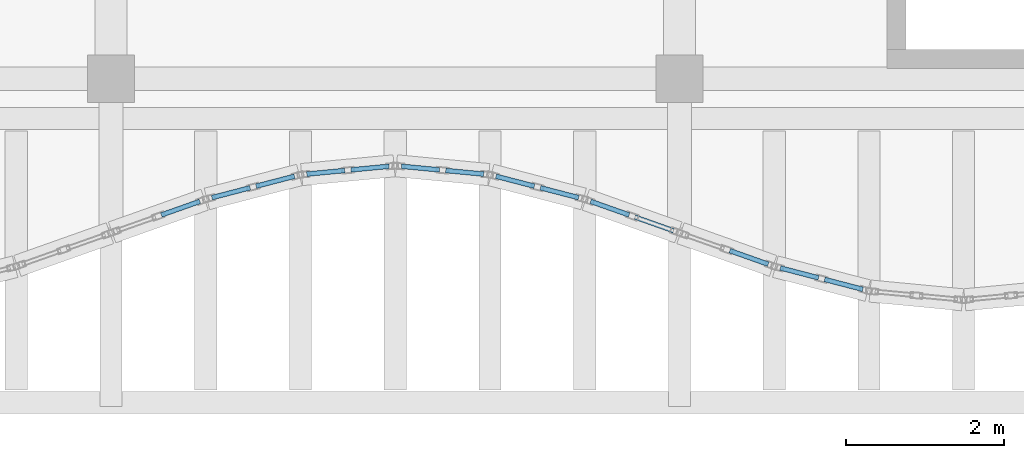
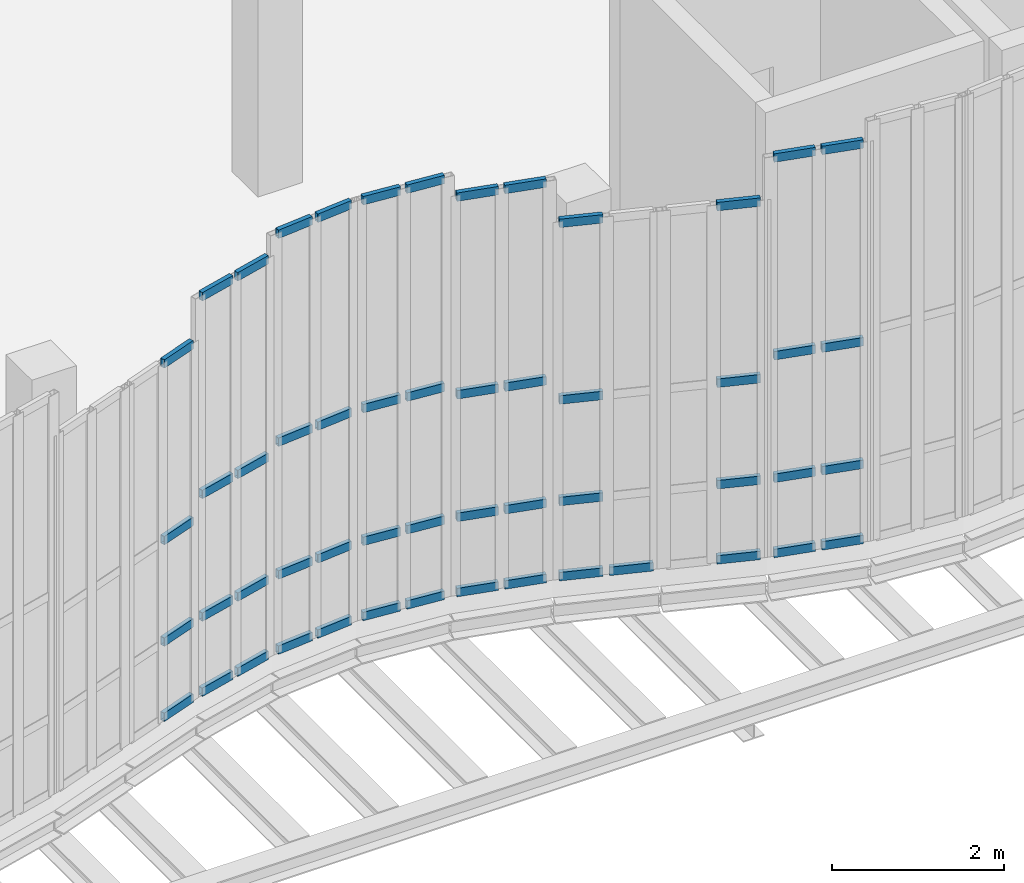
# One storey, part 43 of 76: 53 members, 8 elements without a shape of their own.
"""IFC4 building model written with IfcOpenShell, lengths in metres."""

from ifc_helpers import new_model, si_unit, direction, frame, origin, origin_2d, place, context, subcontext, project, spatial, hollow_rectangle, extrude, material, layer, layer_set, material_profile, profile_set, type_object, element, aggregate, save


model = new_model("IFC4")

# Units and contexts
model_context = context("Model", 3, precision=1e-05, world=origin(), true_north=direction((0.0, 1.0)))
body_context = subcontext(model_context, "Body", "Model", "MODEL_VIEW")
ifc_project = project(units=[si_unit("LENGTHUNIT", "METRE"), si_unit("AREAUNIT", "SQUARE_METRE"), si_unit("VOLUMEUNIT", "CUBIC_METRE"), si_unit("PLANEANGLEUNIT", "RADIAN"), si_unit("MASSUNIT", "GRAM", prefix="KILO"), si_unit("THERMODYNAMICTEMPERATUREUNIT", "KELVIN"), si_unit("POWERUNIT", "WATT")], contexts=[model_context])

# Site, building, storey
site_placement = place(None, origin())
site = spatial("IfcSite", under=ifc_project, at=site_placement, CompositionType="ELEMENT")
building_placement = place(site_placement, origin())
building = spatial("IfcBuilding", under=site, at=building_placement, Name="Kaldorven Railside Theatre", CompositionType="ELEMENT")
storey_placement = place(building_placement, frame((0.0, 0.0, 14.39990234375)))
storey = spatial("IfcBuildingStorey", under=building, at=storey_placement, Name="L03", CompositionType="ELEMENT", Elevation=14.39990234375)

# Curtain wall, members
ifc_material_1 = material(Name="Low-E laminated solar-control glass", Category="glass")
ifc_layer_1 = layer(ifc_material_1, 0.159912109375, Name="Low-E laminated solar-control glass")
ifc_layer_set_1 = layer_set([ifc_layer_1], Name="Low-E laminated solar-control glass")
curtain_wall_type_1 = type_object("IfcCurtainWallType", Name="CWT-08", PredefinedType="USERDEFINED", material=ifc_layer_set_1)
curtain_wall_1_placement = place(storey_placement, origin())
curtain_wall_1 = element("IfcCurtainWall", 1, at=curtain_wall_1_placement, inside=storey, type_object=curtain_wall_type_1, Name="Sinusoidal Fluted Curtain Wall CW-L03-S49", ObjectType="FLUTED GLAZING", PredefinedType="USERDEFINED")
ifc_material_2 = material(Name="Anodised bronze aluminium", Category="aluminium")
ifc_material_profile = material_profile(ifc_material_2, hollow_rectangle(XDim=0.06005859375, YDim=0.1201171875, WallThickness=0.0048828125, at=origin_2d()), Name="RHS 120x60x5")
ifc_profile_set = profile_set([ifc_material_profile], Name="Anodised bronze aluminium")
member_type = type_object("IfcMemberType", Name="CWT-120", PredefinedType="USERDEFINED", material=ifc_profile_set)
member_1_placement = place(storey_placement, frame((95.03759765625, 17.475830078125, 0.030029296875), z_axis=(0.942710841688, 0.333610954502, 0.0), x_axis=(-0.333610954502, 0.942710841688, 0.0)))
member_1 = element("IfcMember", 2, at=member_1_placement, type_object=member_type, Name="CW-L03-S49 transom 2.1", ObjectType="TRANSOM", PredefinedType="USERDEFINED", context=body_context, shape_type="SweptSolid", body=[
    extrude(hollow_rectangle(XDim=0.06005859375, YDim=0.1201171875, WallThickness=0.0048828125, at=origin_2d()), origin(), (0.0, 0.0, 1.0), 0.5166015625),
])
member_2_placement = place(storey_placement, frame((95.03759765625, 17.475830078125, 1.10009765625), z_axis=(0.942710841688, 0.333610954502, 0.0), x_axis=(-0.333610954502, 0.942710841688, 0.0)))
member_2 = element("IfcMember", 3, at=member_2_placement, type_object=member_type, Name="CW-L03-S49 transom 2.2", ObjectType="TRANSOM", PredefinedType="USERDEFINED", context=body_context, shape_type="SweptSolid", body=[
    extrude(hollow_rectangle(XDim=0.06005859375, YDim=0.1201171875, WallThickness=0.0048828125, at=origin_2d()), origin(), (0.0, 0.0, 1.0), 0.5166015625),
])
member_3_placement = place(storey_placement, frame((95.03759765625, 17.475830078125, 2.545166015625), z_axis=(0.942710841688, 0.333610954502, 0.0), x_axis=(-0.333610954502, 0.942710841688, 0.0)))
member_3 = element("IfcMember", 4, at=member_3_placement, type_object=member_type, Name="CW-L03-S49 transom 2.3", ObjectType="TRANSOM", PredefinedType="USERDEFINED", context=body_context, shape_type="SweptSolid", body=[
    extrude(hollow_rectangle(XDim=0.06005859375, YDim=0.1201171875, WallThickness=0.0048828125, at=origin_2d()), origin(), (0.0, 0.0, 1.0), 0.5166015625),
])
member_4_placement = place(storey_placement, frame((95.03759765625, 17.475830078125, 5.06005859375), z_axis=(0.942710841688, 0.333610954502, 0.0), x_axis=(-0.333610954502, 0.942710841688, 0.0)))
member_4 = element("IfcMember", 5, at=member_4_placement, type_object=member_type, Name="CW-L03-S49 transom 2.4", ObjectType="TRANSOM", PredefinedType="USERDEFINED", context=body_context, shape_type="SweptSolid", body=[
    extrude(hollow_rectangle(XDim=0.06005859375, YDim=0.1201171875, WallThickness=0.0048828125, at=origin_2d()), origin(), (0.0, 0.0, 1.0), 0.5166015625),
])
aggregate(curtain_wall_1, [member_1, member_2, member_3, member_4])

ifc_layer_2 = layer(ifc_material_1, 0.159912109375, Name="Low-E laminated solar-control glass")
ifc_layer_set_2 = layer_set([ifc_layer_2], Name="Low-E laminated solar-control glass")
curtain_wall_type_2 = type_object("IfcCurtainWallType", Name="CWT-09", PredefinedType="USERDEFINED", material=ifc_layer_set_2)
curtain_wall_2_placement = place(storey_placement, origin())
curtain_wall_2 = element("IfcCurtainWall", 6, at=curtain_wall_2_placement, inside=storey, type_object=curtain_wall_type_2, Name="Sinusoidal Fluted Curtain Wall CW-L03-S50", ObjectType="FLUTED GLAZING", PredefinedType="USERDEFINED")
member_5_placement = place(storey_placement, frame((95.677490234375, 17.695068359375, 0.030029296875), z_axis=(0.967979318949, 0.251029954561, 0.0), x_axis=(-0.251029954561, 0.967979318949, 0.0)))
member_5 = element("IfcMember", 7, at=member_5_placement, type_object=member_type, Name="CW-L03-S50 transom 1.1", ObjectType="TRANSOM", PredefinedType="USERDEFINED", context=body_context, shape_type="SweptSolid", body=[
    extrude(hollow_rectangle(XDim=0.06005859375, YDim=0.1201171875, WallThickness=0.0048828125, at=origin_2d()), origin(), (0.0, 0.0, 1.0), 0.5),
])
member_6_placement = place(storey_placement, frame((95.677490234375, 17.695068359375, 1.10009765625), z_axis=(0.967979318949, 0.251029954561, 0.0), x_axis=(-0.251029954561, 0.967979318949, 0.0)))
member_6 = element("IfcMember", 8, at=member_6_placement, type_object=member_type, Name="CW-L03-S50 transom 1.2", ObjectType="TRANSOM", PredefinedType="USERDEFINED", context=body_context, shape_type="SweptSolid", body=[
    extrude(hollow_rectangle(XDim=0.06005859375, YDim=0.1201171875, WallThickness=0.0048828125, at=origin_2d()), origin(), (0.0, 0.0, 1.0), 0.5),
])
member_7_placement = place(storey_placement, frame((95.677490234375, 17.695068359375, 2.84521484375), z_axis=(0.967979318949, 0.251029954561, 0.0), x_axis=(-0.251029954561, 0.967979318949, 0.0)))
member_7 = element("IfcMember", 9, at=member_7_placement, type_object=member_type, Name="CW-L03-S50 transom 1.3", ObjectType="TRANSOM", PredefinedType="USERDEFINED", context=body_context, shape_type="SweptSolid", body=[
    extrude(hollow_rectangle(XDim=0.06005859375, YDim=0.1201171875, WallThickness=0.0048828125, at=origin_2d()), origin(), (0.0, 0.0, 1.0), 0.5),
])
member_8_placement = place(storey_placement, frame((95.677490234375, 17.695068359375, 5.66015625), z_axis=(0.967979318949, 0.251029954561, 0.0), x_axis=(-0.251029954561, 0.967979318949, 0.0)))
member_8 = element("IfcMember", 10, at=member_8_placement, type_object=member_type, Name="CW-L03-S50 transom 1.4", ObjectType="TRANSOM", PredefinedType="USERDEFINED", context=body_context, shape_type="SweptSolid", body=[
    extrude(hollow_rectangle(XDim=0.06005859375, YDim=0.1201171875, WallThickness=0.0048828125, at=origin_2d()), origin(), (0.0, 0.0, 1.0), 0.5),
])
member_9_placement = place(storey_placement, frame((96.23876953125, 17.840576171875, 0.030029296875), z_axis=(0.967979318949, 0.251029954561, 0.0), x_axis=(-0.251029954561, 0.967979318949, 0.0)))
member_9 = element("IfcMember", 11, at=member_9_placement, type_object=member_type, Name="CW-L03-S50 transom 2.1", ObjectType="TRANSOM", PredefinedType="USERDEFINED", context=body_context, shape_type="SweptSolid", body=[
    extrude(hollow_rectangle(XDim=0.06005859375, YDim=0.1201171875, WallThickness=0.0048828125, at=origin_2d()), origin(), (0.0, 0.0, 1.0), 0.5),
])
member_10_placement = place(storey_placement, frame((96.23876953125, 17.840576171875, 1.10009765625), z_axis=(0.967979318949, 0.251029954561, 0.0), x_axis=(-0.251029954561, 0.967979318949, 0.0)))
member_10 = element("IfcMember", 12, at=member_10_placement, type_object=member_type, Name="CW-L03-S50 transom 2.2", ObjectType="TRANSOM", PredefinedType="USERDEFINED", context=body_context, shape_type="SweptSolid", body=[
    extrude(hollow_rectangle(XDim=0.06005859375, YDim=0.1201171875, WallThickness=0.0048828125, at=origin_2d()), origin(), (0.0, 0.0, 1.0), 0.5),
])
member_11_placement = place(storey_placement, frame((96.23876953125, 17.840576171875, 2.84521484375), z_axis=(0.967979318949, 0.251029954561, 0.0), x_axis=(-0.251029954561, 0.967979318949, 0.0)))
member_11 = element("IfcMember", 13, at=member_11_placement, type_object=member_type, Name="CW-L03-S50 transom 2.3", ObjectType="TRANSOM", PredefinedType="USERDEFINED", context=body_context, shape_type="SweptSolid", body=[
    extrude(hollow_rectangle(XDim=0.06005859375, YDim=0.1201171875, WallThickness=0.0048828125, at=origin_2d()), origin(), (0.0, 0.0, 1.0), 0.5),
])
member_12_placement = place(storey_placement, frame((96.23876953125, 17.840576171875, 5.66015625), z_axis=(0.967979318949, 0.251029954561, 0.0), x_axis=(-0.251029954561, 0.967979318949, 0.0)))
member_12 = element("IfcMember", 14, at=member_12_placement, type_object=member_type, Name="CW-L03-S50 transom 2.4", ObjectType="TRANSOM", PredefinedType="USERDEFINED", context=body_context, shape_type="SweptSolid", body=[
    extrude(hollow_rectangle(XDim=0.06005859375, YDim=0.1201171875, WallThickness=0.0048828125, at=origin_2d()), origin(), (0.0, 0.0, 1.0), 0.5),
])
aggregate(curtain_wall_2, [member_5, member_6, member_7, member_8, member_9, member_10, member_11, member_12])

ifc_layer_3 = layer(ifc_material_1, 0.159912109375, Name="Low-E laminated solar-control glass")
ifc_layer_set_3 = layer_set([ifc_layer_3], Name="Low-E laminated solar-control glass")
curtain_wall_type_3 = type_object("IfcCurtainWallType", Name="CWT-10", PredefinedType="USERDEFINED", material=ifc_layer_set_3)
curtain_wall_3_placement = place(storey_placement, origin())
curtain_wall_3 = element("IfcCurtainWall", 15, at=curtain_wall_3_placement, inside=storey, type_object=curtain_wall_type_3, Name="Sinusoidal Fluted Curtain Wall CW-L03-S51", ObjectType="FLUTED GLAZING", PredefinedType="USERDEFINED")
member_13_placement = place(storey_placement, frame((96.879638671875, 17.99365234375, 0.030029296875), z_axis=(0.995515910823, 0.094594245591, 0.0), x_axis=(-0.094594245591, 0.995515910823, 0.0)))
member_13 = element("IfcMember", 16, at=member_13_placement, type_object=member_type, Name="CW-L03-S51 transom 1.1", ObjectType="TRANSOM", PredefinedType="USERDEFINED", context=body_context, shape_type="SweptSolid", body=[
    extrude(hollow_rectangle(XDim=0.06005859375, YDim=0.1201171875, WallThickness=0.0048828125, at=origin_2d()), origin(), (0.0, 0.0, 1.0), 0.482666015625),
])
member_14_placement = place(storey_placement, frame((96.879638671875, 17.99365234375, 1.10009765625), z_axis=(0.995515910823, 0.094594245591, 0.0), x_axis=(-0.094594245591, 0.995515910823, 0.0)))
member_14 = element("IfcMember", 17, at=member_14_placement, type_object=member_type, Name="CW-L03-S51 transom 1.2", ObjectType="TRANSOM", PredefinedType="USERDEFINED", context=body_context, shape_type="SweptSolid", body=[
    extrude(hollow_rectangle(XDim=0.06005859375, YDim=0.1201171875, WallThickness=0.0048828125, at=origin_2d()), origin(), (0.0, 0.0, 1.0), 0.482666015625),
])
member_15_placement = place(storey_placement, frame((96.879638671875, 17.99365234375, 2.989990234375), z_axis=(0.995515910823, 0.094594245591, 0.0), x_axis=(-0.094594245591, 0.995515910823, 0.0)))
member_15 = element("IfcMember", 18, at=member_15_placement, type_object=member_type, Name="CW-L03-S51 transom 1.3", ObjectType="TRANSOM", PredefinedType="USERDEFINED", context=body_context, shape_type="SweptSolid", body=[
    extrude(hollow_rectangle(XDim=0.06005859375, YDim=0.1201171875, WallThickness=0.0048828125, at=origin_2d()), origin(), (0.0, 0.0, 1.0), 0.482666015625),
])
member_16_placement = place(storey_placement, frame((96.879638671875, 17.99365234375, 5.9501953125), z_axis=(0.995515910823, 0.094594245591, 0.0), x_axis=(-0.094594245591, 0.995515910823, 0.0)))
member_16 = element("IfcMember", 19, at=member_16_placement, type_object=member_type, Name="CW-L03-S51 transom 1.4", ObjectType="TRANSOM", PredefinedType="USERDEFINED", context=body_context, shape_type="SweptSolid", body=[
    extrude(hollow_rectangle(XDim=0.06005859375, YDim=0.1201171875, WallThickness=0.0048828125, at=origin_2d()), origin(), (0.0, 0.0, 1.0), 0.482666015625),
])
member_17_placement = place(storey_placement, frame((97.43994140625, 18.046875, 0.030029296875), z_axis=(0.995515910823, 0.094594245591, 0.0), x_axis=(-0.094594245591, 0.995515910823, 0.0)))
member_17 = element("IfcMember", 20, at=member_17_placement, type_object=member_type, Name="CW-L03-S51 transom 2.1", ObjectType="TRANSOM", PredefinedType="USERDEFINED", context=body_context, shape_type="SweptSolid", body=[
    extrude(hollow_rectangle(XDim=0.06005859375, YDim=0.1201171875, WallThickness=0.0048828125, at=origin_2d()), origin(), (0.0, 0.0, 1.0), 0.482666015625),
])
member_18_placement = place(storey_placement, frame((97.43994140625, 18.046875, 1.10009765625), z_axis=(0.995515910823, 0.094594245591, 0.0), x_axis=(-0.094594245591, 0.995515910823, 0.0)))
member_18 = element("IfcMember", 21, at=member_18_placement, type_object=member_type, Name="CW-L03-S51 transom 2.2", ObjectType="TRANSOM", PredefinedType="USERDEFINED", context=body_context, shape_type="SweptSolid", body=[
    extrude(hollow_rectangle(XDim=0.06005859375, YDim=0.1201171875, WallThickness=0.0048828125, at=origin_2d()), origin(), (0.0, 0.0, 1.0), 0.482666015625),
])
member_19_placement = place(storey_placement, frame((97.43994140625, 18.046875, 2.989990234375), z_axis=(0.995515910823, 0.094594245591, 0.0), x_axis=(-0.094594245591, 0.995515910823, 0.0)))
member_19 = element("IfcMember", 22, at=member_19_placement, type_object=member_type, Name="CW-L03-S51 transom 2.3", ObjectType="TRANSOM", PredefinedType="USERDEFINED", context=body_context, shape_type="SweptSolid", body=[
    extrude(hollow_rectangle(XDim=0.06005859375, YDim=0.1201171875, WallThickness=0.0048828125, at=origin_2d()), origin(), (0.0, 0.0, 1.0), 0.482666015625),
])
member_20_placement = place(storey_placement, frame((97.43994140625, 18.046875, 5.9501953125), z_axis=(0.995515910823, 0.094594245591, 0.0), x_axis=(-0.094594245591, 0.995515910823, 0.0)))
member_20 = element("IfcMember", 23, at=member_20_placement, type_object=member_type, Name="CW-L03-S51 transom 2.4", ObjectType="TRANSOM", PredefinedType="USERDEFINED", context=body_context, shape_type="SweptSolid", body=[
    extrude(hollow_rectangle(XDim=0.06005859375, YDim=0.1201171875, WallThickness=0.0048828125, at=origin_2d()), origin(), (0.0, 0.0, 1.0), 0.482666015625),
])
aggregate(curtain_wall_3, [member_13, member_14, member_15, member_16, member_17, member_18, member_19, member_20])

curtain_wall_4_placement = place(storey_placement, origin())
curtain_wall_4 = element("IfcCurtainWall", 24, at=curtain_wall_4_placement, inside=storey, type_object=curtain_wall_type_3, Name="Sinusoidal Fluted Curtain Wall CW-L03-S52", ObjectType="FLUTED GLAZING", PredefinedType="USERDEFINED")
member_21_placement = place(storey_placement, frame((98.07958984375, 18.092529296875, 0.030029296875), z_axis=(0.995515910823, -0.094594245591, 0.0), x_axis=(0.094594245591, 0.995515910823, 0.0)))
member_21 = element("IfcMember", 25, at=member_21_placement, type_object=member_type, Name="CW-L03-S52 transom 1.1", ObjectType="TRANSOM", PredefinedType="USERDEFINED", context=body_context, shape_type="SweptSolid", body=[
    extrude(hollow_rectangle(XDim=0.06005859375, YDim=0.1201171875, WallThickness=0.0048828125, at=origin_2d()), origin(), (0.0, 0.0, 1.0), 0.482666015625),
])
member_22_placement = place(storey_placement, frame((98.07958984375, 18.092529296875, 1.10009765625), z_axis=(0.995515910823, -0.094594245591, 0.0), x_axis=(0.094594245591, 0.995515910823, 0.0)))
member_22 = element("IfcMember", 26, at=member_22_placement, type_object=member_type, Name="CW-L03-S52 transom 1.2", ObjectType="TRANSOM", PredefinedType="USERDEFINED", context=body_context, shape_type="SweptSolid", body=[
    extrude(hollow_rectangle(XDim=0.06005859375, YDim=0.1201171875, WallThickness=0.0048828125, at=origin_2d()), origin(), (0.0, 0.0, 1.0), 0.482666015625),
])
member_23_placement = place(storey_placement, frame((98.07958984375, 18.092529296875, 2.989990234375), z_axis=(0.995515910823, -0.094594245591, 0.0), x_axis=(0.094594245591, 0.995515910823, 0.0)))
member_23 = element("IfcMember", 27, at=member_23_placement, type_object=member_type, Name="CW-L03-S52 transom 1.3", ObjectType="TRANSOM", PredefinedType="USERDEFINED", context=body_context, shape_type="SweptSolid", body=[
    extrude(hollow_rectangle(XDim=0.06005859375, YDim=0.1201171875, WallThickness=0.0048828125, at=origin_2d()), origin(), (0.0, 0.0, 1.0), 0.482666015625),
])
member_24_placement = place(storey_placement, frame((98.07958984375, 18.092529296875, 5.9501953125), z_axis=(0.995515910823, -0.094594245591, 0.0), x_axis=(0.094594245591, 0.995515910823, 0.0)))
member_24 = element("IfcMember", 28, at=member_24_placement, type_object=member_type, Name="CW-L03-S52 transom 1.4", ObjectType="TRANSOM", PredefinedType="USERDEFINED", context=body_context, shape_type="SweptSolid", body=[
    extrude(hollow_rectangle(XDim=0.06005859375, YDim=0.1201171875, WallThickness=0.0048828125, at=origin_2d()), origin(), (0.0, 0.0, 1.0), 0.482666015625),
])
member_25_placement = place(storey_placement, frame((98.639892578125, 18.039306640625, 0.030029296875), z_axis=(0.995515910823, -0.094594245591, 0.0), x_axis=(0.094594245591, 0.995515910823, 0.0)))
member_25 = element("IfcMember", 29, at=member_25_placement, type_object=member_type, Name="CW-L03-S52 transom 2.1", ObjectType="TRANSOM", PredefinedType="USERDEFINED", context=body_context, shape_type="SweptSolid", body=[
    extrude(hollow_rectangle(XDim=0.06005859375, YDim=0.1201171875, WallThickness=0.0048828125, at=origin_2d()), origin(), (0.0, 0.0, 1.0), 0.482666015625),
])
member_26_placement = place(storey_placement, frame((98.639892578125, 18.039306640625, 1.10009765625), z_axis=(0.995515910823, -0.094594245591, 0.0), x_axis=(0.094594245591, 0.995515910823, 0.0)))
member_26 = element("IfcMember", 30, at=member_26_placement, type_object=member_type, Name="CW-L03-S52 transom 2.2", ObjectType="TRANSOM", PredefinedType="USERDEFINED", context=body_context, shape_type="SweptSolid", body=[
    extrude(hollow_rectangle(XDim=0.06005859375, YDim=0.1201171875, WallThickness=0.0048828125, at=origin_2d()), origin(), (0.0, 0.0, 1.0), 0.482666015625),
])
member_27_placement = place(storey_placement, frame((98.639892578125, 18.039306640625, 2.989990234375), z_axis=(0.995515910823, -0.094594245591, 0.0), x_axis=(0.094594245591, 0.995515910823, 0.0)))
member_27 = element("IfcMember", 31, at=member_27_placement, type_object=member_type, Name="CW-L03-S52 transom 2.3", ObjectType="TRANSOM", PredefinedType="USERDEFINED", context=body_context, shape_type="SweptSolid", body=[
    extrude(hollow_rectangle(XDim=0.06005859375, YDim=0.1201171875, WallThickness=0.0048828125, at=origin_2d()), origin(), (0.0, 0.0, 1.0), 0.482666015625),
])
member_28_placement = place(storey_placement, frame((98.639892578125, 18.039306640625, 5.9501953125), z_axis=(0.995515910823, -0.094594245591, 0.0), x_axis=(0.094594245591, 0.995515910823, 0.0)))
member_28 = element("IfcMember", 32, at=member_28_placement, type_object=member_type, Name="CW-L03-S52 transom 2.4", ObjectType="TRANSOM", PredefinedType="USERDEFINED", context=body_context, shape_type="SweptSolid", body=[
    extrude(hollow_rectangle(XDim=0.06005859375, YDim=0.1201171875, WallThickness=0.0048828125, at=origin_2d()), origin(), (0.0, 0.0, 1.0), 0.482666015625),
])
aggregate(curtain_wall_4, [member_21, member_22, member_23, member_24, member_25, member_26, member_27, member_28])

curtain_wall_5_placement = place(storey_placement, origin())
curtain_wall_5 = element("IfcCurtainWall", 33, at=curtain_wall_5_placement, inside=storey, type_object=curtain_wall_type_2, Name="Sinusoidal Fluted Curtain Wall CW-L03-S53", ObjectType="FLUTED GLAZING", PredefinedType="USERDEFINED")
member_29_placement = place(storey_placement, frame((99.27734375, 17.966064453125, 0.030029296875), z_axis=(0.967979318949, -0.251029954561, 0.0), x_axis=(0.251029954561, 0.967979318949, 0.0)))
member_29 = element("IfcMember", 34, at=member_29_placement, type_object=member_type, Name="CW-L03-S53 transom 1.1", ObjectType="TRANSOM", PredefinedType="USERDEFINED", context=body_context, shape_type="SweptSolid", body=[
    extrude(hollow_rectangle(XDim=0.06005859375, YDim=0.1201171875, WallThickness=0.0048828125, at=origin_2d()), origin(), (0.0, 0.0, 1.0), 0.5),
])
member_30_placement = place(storey_placement, frame((99.27734375, 17.966064453125, 1.10009765625), z_axis=(0.967979318949, -0.251029954561, 0.0), x_axis=(0.251029954561, 0.967979318949, 0.0)))
member_30 = element("IfcMember", 35, at=member_30_placement, type_object=member_type, Name="CW-L03-S53 transom 1.2", ObjectType="TRANSOM", PredefinedType="USERDEFINED", context=body_context, shape_type="SweptSolid", body=[
    extrude(hollow_rectangle(XDim=0.06005859375, YDim=0.1201171875, WallThickness=0.0048828125, at=origin_2d()), origin(), (0.0, 0.0, 1.0), 0.5),
])
member_31_placement = place(storey_placement, frame((99.27734375, 17.966064453125, 2.84521484375), z_axis=(0.967979318949, -0.251029954561, 0.0), x_axis=(0.251029954561, 0.967979318949, 0.0)))
member_31 = element("IfcMember", 36, at=member_31_placement, type_object=member_type, Name="CW-L03-S53 transom 1.3", ObjectType="TRANSOM", PredefinedType="USERDEFINED", context=body_context, shape_type="SweptSolid", body=[
    extrude(hollow_rectangle(XDim=0.06005859375, YDim=0.1201171875, WallThickness=0.0048828125, at=origin_2d()), origin(), (0.0, 0.0, 1.0), 0.5),
])
member_32_placement = place(storey_placement, frame((99.27734375, 17.966064453125, 5.66015625), z_axis=(0.967979318949, -0.251029954561, 0.0), x_axis=(0.251029954561, 0.967979318949, 0.0)))
member_32 = element("IfcMember", 37, at=member_32_placement, type_object=member_type, Name="CW-L03-S53 transom 1.4", ObjectType="TRANSOM", PredefinedType="USERDEFINED", context=body_context, shape_type="SweptSolid", body=[
    extrude(hollow_rectangle(XDim=0.06005859375, YDim=0.1201171875, WallThickness=0.0048828125, at=origin_2d()), origin(), (0.0, 0.0, 1.0), 0.5),
])
member_33_placement = place(storey_placement, frame((99.838623046875, 17.820556640625, 0.030029296875), z_axis=(0.967979318949, -0.251029954561, 0.0), x_axis=(0.251029954561, 0.967979318949, 0.0)))
member_33 = element("IfcMember", 38, at=member_33_placement, type_object=member_type, Name="CW-L03-S53 transom 2.1", ObjectType="TRANSOM", PredefinedType="USERDEFINED", context=body_context, shape_type="SweptSolid", body=[
    extrude(hollow_rectangle(XDim=0.06005859375, YDim=0.1201171875, WallThickness=0.0048828125, at=origin_2d()), origin(), (0.0, 0.0, 1.0), 0.5),
])
member_34_placement = place(storey_placement, frame((99.838623046875, 17.820556640625, 1.10009765625), z_axis=(0.967979318949, -0.251029954561, 0.0), x_axis=(0.251029954561, 0.967979318949, 0.0)))
member_34 = element("IfcMember", 39, at=member_34_placement, type_object=member_type, Name="CW-L03-S53 transom 2.2", ObjectType="TRANSOM", PredefinedType="USERDEFINED", context=body_context, shape_type="SweptSolid", body=[
    extrude(hollow_rectangle(XDim=0.06005859375, YDim=0.1201171875, WallThickness=0.0048828125, at=origin_2d()), origin(), (0.0, 0.0, 1.0), 0.5),
])
member_35_placement = place(storey_placement, frame((99.838623046875, 17.820556640625, 2.84521484375), z_axis=(0.967979318949, -0.251029954561, 0.0), x_axis=(0.251029954561, 0.967979318949, 0.0)))
member_35 = element("IfcMember", 40, at=member_35_placement, type_object=member_type, Name="CW-L03-S53 transom 2.3", ObjectType="TRANSOM", PredefinedType="USERDEFINED", context=body_context, shape_type="SweptSolid", body=[
    extrude(hollow_rectangle(XDim=0.06005859375, YDim=0.1201171875, WallThickness=0.0048828125, at=origin_2d()), origin(), (0.0, 0.0, 1.0), 0.5),
])
member_36_placement = place(storey_placement, frame((99.838623046875, 17.820556640625, 5.66015625), z_axis=(0.967979318949, -0.251029954561, 0.0), x_axis=(0.251029954561, 0.967979318949, 0.0)))
member_36 = element("IfcMember", 41, at=member_36_placement, type_object=member_type, Name="CW-L03-S53 transom 2.4", ObjectType="TRANSOM", PredefinedType="USERDEFINED", context=body_context, shape_type="SweptSolid", body=[
    extrude(hollow_rectangle(XDim=0.06005859375, YDim=0.1201171875, WallThickness=0.0048828125, at=origin_2d()), origin(), (0.0, 0.0, 1.0), 0.5),
])
aggregate(curtain_wall_5, [member_29, member_30, member_31, member_32, member_33, member_34, member_35, member_36])

curtain_wall_6_placement = place(storey_placement, origin())
curtain_wall_6 = element("IfcCurtainWall", 42, at=curtain_wall_6_placement, inside=storey, type_object=curtain_wall_type_1, Name="Sinusoidal Fluted Curtain Wall CW-L03-S54", ObjectType="FLUTED GLAZING", PredefinedType="USERDEFINED")
member_37_placement = place(storey_placement, frame((100.475341796875, 17.648193359375, 0.030029296875), z_axis=(0.942710841688, -0.333610954502, 0.0), x_axis=(0.333610954502, 0.942710841688, 0.0)))
member_37 = element("IfcMember", 43, at=member_37_placement, type_object=member_type, Name="CW-L03-S54 transom 1.1", ObjectType="TRANSOM", PredefinedType="USERDEFINED", context=body_context, shape_type="SweptSolid", body=[
    extrude(hollow_rectangle(XDim=0.06005859375, YDim=0.1201171875, WallThickness=0.0048828125, at=origin_2d()), origin(), (0.0, 0.0, 1.0), 0.5166015625),
])
member_38_placement = place(storey_placement, frame((100.475341796875, 17.648193359375, 1.10009765625), z_axis=(0.942710841688, -0.333610954502, 0.0), x_axis=(0.333610954502, 0.942710841688, 0.0)))
member_38 = element("IfcMember", 44, at=member_38_placement, type_object=member_type, Name="CW-L03-S54 transom 1.2", ObjectType="TRANSOM", PredefinedType="USERDEFINED", context=body_context, shape_type="SweptSolid", body=[
    extrude(hollow_rectangle(XDim=0.06005859375, YDim=0.1201171875, WallThickness=0.0048828125, at=origin_2d()), origin(), (0.0, 0.0, 1.0), 0.5166015625),
])
member_39_placement = place(storey_placement, frame((100.475341796875, 17.648193359375, 2.545166015625), z_axis=(0.942710841688, -0.333610954502, 0.0), x_axis=(0.333610954502, 0.942710841688, 0.0)))
member_39 = element("IfcMember", 45, at=member_39_placement, type_object=member_type, Name="CW-L03-S54 transom 1.3", ObjectType="TRANSOM", PredefinedType="USERDEFINED", context=body_context, shape_type="SweptSolid", body=[
    extrude(hollow_rectangle(XDim=0.06005859375, YDim=0.1201171875, WallThickness=0.0048828125, at=origin_2d()), origin(), (0.0, 0.0, 1.0), 0.5166015625),
])
member_40_placement = place(storey_placement, frame((100.475341796875, 17.648193359375, 5.06005859375), z_axis=(0.942710841688, -0.333610954502, 0.0), x_axis=(0.333610954502, 0.942710841688, 0.0)))
member_40 = element("IfcMember", 46, at=member_40_placement, type_object=member_type, Name="CW-L03-S54 transom 1.4", ObjectType="TRANSOM", PredefinedType="USERDEFINED", context=body_context, shape_type="SweptSolid", body=[
    extrude(hollow_rectangle(XDim=0.06005859375, YDim=0.1201171875, WallThickness=0.0048828125, at=origin_2d()), origin(), (0.0, 0.0, 1.0), 0.5166015625),
])
member_41_placement = place(storey_placement, frame((101.03759765625, 17.44921875, 0.030029296875), z_axis=(0.94256215944, -0.334030800363, 0.0), x_axis=(0.334030800363, 0.94256215944, 0.0)))
member_41 = element("IfcMember", 47, at=member_41_placement, type_object=member_type, Name="CW-L03-S54 transom 2.1", ObjectType="TRANSOM", PredefinedType="USERDEFINED", context=body_context, shape_type="SweptSolid", body=[
    extrude(hollow_rectangle(XDim=0.06005859375, YDim=0.1201171875, WallThickness=0.0048828125, at=origin_2d()), origin(), (0.0, 0.0, 1.0), 0.516845703125),
])
aggregate(curtain_wall_6, [member_37, member_38, member_39, member_40, member_41])

curtain_wall_7_placement = place(storey_placement, origin())
curtain_wall_7 = element("IfcCurtainWall", 48, at=curtain_wall_7_placement, inside=storey, type_object=curtain_wall_type_1, Name="Sinusoidal Fluted Curtain Wall CW-L03-S55", ObjectType="FLUTED GLAZING", PredefinedType="USERDEFINED")
member_42_placement = place(storey_placement, frame((102.23779296875, 17.024169921875, 0.030029296875), z_axis=(0.942658214948, -0.333759628763, 0.0), x_axis=(0.333759628763, 0.942658214948, 0.0)))
member_42 = element("IfcMember", 49, at=member_42_placement, type_object=member_type, Name="CW-L03-S55 transom 2.1", ObjectType="TRANSOM", PredefinedType="USERDEFINED", context=body_context, shape_type="SweptSolid", body=[
    extrude(hollow_rectangle(XDim=0.06005859375, YDim=0.1201171875, WallThickness=0.0048828125, at=origin_2d()), origin(), (0.0, 0.0, 1.0), 0.516357421875),
])
member_43_placement = place(storey_placement, frame((102.23779296875, 17.024169921875, 1.10009765625), z_axis=(0.942658214948, -0.333759628763, 0.0), x_axis=(0.333759628763, 0.942658214948, 0.0)))
member_43 = element("IfcMember", 50, at=member_43_placement, type_object=member_type, Name="CW-L03-S55 transom 2.2", ObjectType="TRANSOM", PredefinedType="USERDEFINED", context=body_context, shape_type="SweptSolid", body=[
    extrude(hollow_rectangle(XDim=0.06005859375, YDim=0.1201171875, WallThickness=0.0048828125, at=origin_2d()), origin(), (0.0, 0.0, 1.0), 0.516357421875),
])
member_44_placement = place(storey_placement, frame((102.23779296875, 17.024169921875, 2.545166015625), z_axis=(0.942658214948, -0.333759628763, 0.0), x_axis=(0.333759628763, 0.942658214948, 0.0)))
member_44 = element("IfcMember", 51, at=member_44_placement, type_object=member_type, Name="CW-L03-S55 transom 2.3", ObjectType="TRANSOM", PredefinedType="USERDEFINED", context=body_context, shape_type="SweptSolid", body=[
    extrude(hollow_rectangle(XDim=0.06005859375, YDim=0.1201171875, WallThickness=0.0048828125, at=origin_2d()), origin(), (0.0, 0.0, 1.0), 0.516357421875),
])
member_45_placement = place(storey_placement, frame((102.23779296875, 17.024169921875, 5.06005859375), z_axis=(0.942658214948, -0.333759628763, 0.0), x_axis=(0.333759628763, 0.942658214948, 0.0)))
member_45 = element("IfcMember", 52, at=member_45_placement, type_object=member_type, Name="CW-L03-S55 transom 2.4", ObjectType="TRANSOM", PredefinedType="USERDEFINED", context=body_context, shape_type="SweptSolid", body=[
    extrude(hollow_rectangle(XDim=0.06005859375, YDim=0.1201171875, WallThickness=0.0048828125, at=origin_2d()), origin(), (0.0, 0.0, 1.0), 0.516357421875),
])
aggregate(curtain_wall_7, [member_42, member_43, member_44, member_45])

curtain_wall_8_placement = place(storey_placement, origin())
curtain_wall_8 = element("IfcCurtainWall", 53, at=curtain_wall_8_placement, inside=storey, type_object=curtain_wall_type_2, Name="Sinusoidal Fluted Curtain Wall CW-L03-S56", ObjectType="FLUTED GLAZING", PredefinedType="USERDEFINED")
member_46_placement = place(storey_placement, frame((102.87744140625, 16.804931640625, 0.030029296875), z_axis=(0.967979318949, -0.251029954561, 0.0), x_axis=(0.251029954561, 0.967979318949, 0.0)))
member_46 = element("IfcMember", 54, at=member_46_placement, type_object=member_type, Name="CW-L03-S56 transom 1.1", ObjectType="TRANSOM", PredefinedType="USERDEFINED", context=body_context, shape_type="SweptSolid", body=[
    extrude(hollow_rectangle(XDim=0.06005859375, YDim=0.1201171875, WallThickness=0.0048828125, at=origin_2d()), origin(), (0.0, 0.0, 1.0), 0.5),
])
member_47_placement = place(storey_placement, frame((102.87744140625, 16.804931640625, 1.10009765625), z_axis=(0.967979318949, -0.251029954561, 0.0), x_axis=(0.251029954561, 0.967979318949, 0.0)))
member_47 = element("IfcMember", 55, at=member_47_placement, type_object=member_type, Name="CW-L03-S56 transom 1.2", ObjectType="TRANSOM", PredefinedType="USERDEFINED", context=body_context, shape_type="SweptSolid", body=[
    extrude(hollow_rectangle(XDim=0.06005859375, YDim=0.1201171875, WallThickness=0.0048828125, at=origin_2d()), origin(), (0.0, 0.0, 1.0), 0.5),
])
member_48_placement = place(storey_placement, frame((102.87744140625, 16.804931640625, 2.84521484375), z_axis=(0.967979318949, -0.251029954561, 0.0), x_axis=(0.251029954561, 0.967979318949, 0.0)))
member_48 = element("IfcMember", 56, at=member_48_placement, type_object=member_type, Name="CW-L03-S56 transom 1.3", ObjectType="TRANSOM", PredefinedType="USERDEFINED", context=body_context, shape_type="SweptSolid", body=[
    extrude(hollow_rectangle(XDim=0.06005859375, YDim=0.1201171875, WallThickness=0.0048828125, at=origin_2d()), origin(), (0.0, 0.0, 1.0), 0.5),
])
member_49_placement = place(storey_placement, frame((102.87744140625, 16.804931640625, 5.66015625), z_axis=(0.967979318949, -0.251029954561, 0.0), x_axis=(0.251029954561, 0.967979318949, 0.0)))
member_49 = element("IfcMember", 57, at=member_49_placement, type_object=member_type, Name="CW-L03-S56 transom 1.4", ObjectType="TRANSOM", PredefinedType="USERDEFINED", context=body_context, shape_type="SweptSolid", body=[
    extrude(hollow_rectangle(XDim=0.06005859375, YDim=0.1201171875, WallThickness=0.0048828125, at=origin_2d()), origin(), (0.0, 0.0, 1.0), 0.5),
])
member_50_placement = place(storey_placement, frame((103.438720703125, 16.659423828125, 0.030029296875), z_axis=(0.967979318949, -0.251029954561, 0.0), x_axis=(0.251029954561, 0.967979318949, 0.0)))
member_50 = element("IfcMember", 58, at=member_50_placement, type_object=member_type, Name="CW-L03-S56 transom 2.1", ObjectType="TRANSOM", PredefinedType="USERDEFINED", context=body_context, shape_type="SweptSolid", body=[
    extrude(hollow_rectangle(XDim=0.06005859375, YDim=0.1201171875, WallThickness=0.0048828125, at=origin_2d()), origin(), (0.0, 0.0, 1.0), 0.5),
])
member_51_placement = place(storey_placement, frame((103.438720703125, 16.659423828125, 1.10009765625), z_axis=(0.967979318949, -0.251029954561, 0.0), x_axis=(0.251029954561, 0.967979318949, 0.0)))
member_51 = element("IfcMember", 59, at=member_51_placement, type_object=member_type, Name="CW-L03-S56 transom 2.2", ObjectType="TRANSOM", PredefinedType="USERDEFINED", context=body_context, shape_type="SweptSolid", body=[
    extrude(hollow_rectangle(XDim=0.06005859375, YDim=0.1201171875, WallThickness=0.0048828125, at=origin_2d()), origin(), (0.0, 0.0, 1.0), 0.5),
])
member_52_placement = place(storey_placement, frame((103.438720703125, 16.659423828125, 2.84521484375), z_axis=(0.967979318949, -0.251029954561, 0.0), x_axis=(0.251029954561, 0.967979318949, 0.0)))
member_52 = element("IfcMember", 60, at=member_52_placement, type_object=member_type, Name="CW-L03-S56 transom 2.3", ObjectType="TRANSOM", PredefinedType="USERDEFINED", context=body_context, shape_type="SweptSolid", body=[
    extrude(hollow_rectangle(XDim=0.06005859375, YDim=0.1201171875, WallThickness=0.0048828125, at=origin_2d()), origin(), (0.0, 0.0, 1.0), 0.5),
])
member_53_placement = place(storey_placement, frame((103.438720703125, 16.659423828125, 5.66015625), z_axis=(0.967979318949, -0.251029954561, 0.0), x_axis=(0.251029954561, 0.967979318949, 0.0)))
member_53 = element("IfcMember", 61, at=member_53_placement, type_object=member_type, Name="CW-L03-S56 transom 2.4", ObjectType="TRANSOM", PredefinedType="USERDEFINED", context=body_context, shape_type="SweptSolid", body=[
    extrude(hollow_rectangle(XDim=0.06005859375, YDim=0.1201171875, WallThickness=0.0048828125, at=origin_2d()), origin(), (0.0, 0.0, 1.0), 0.5),
])
aggregate(curtain_wall_8, [member_46, member_47, member_48, member_49, member_50, member_51, member_52, member_53])

save(model, "model.ifc")
